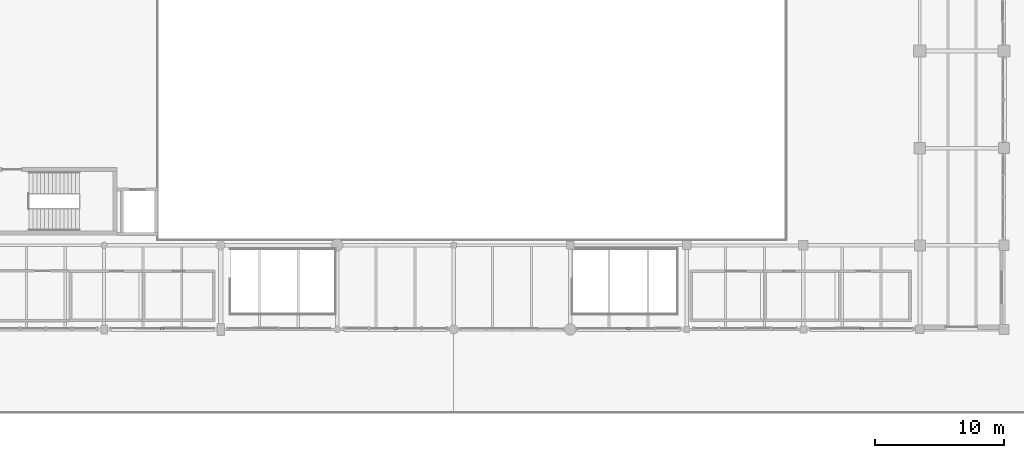
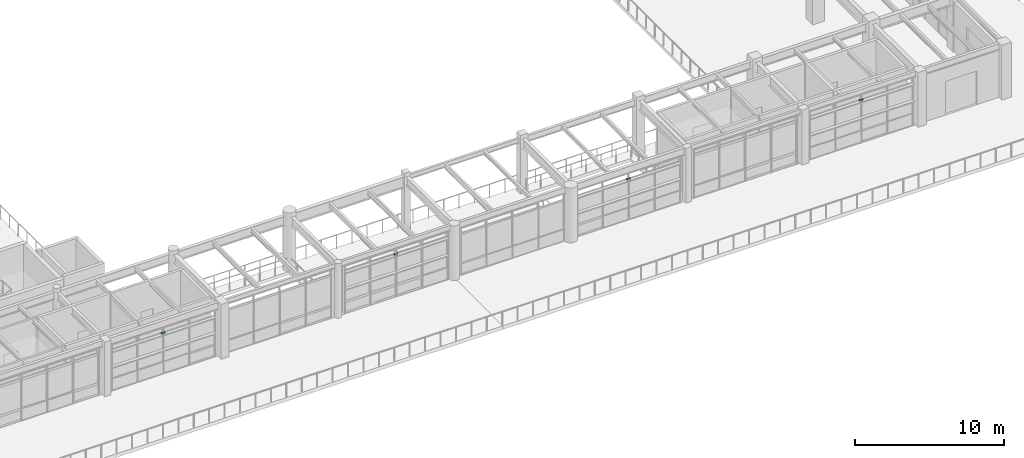
# One storey, part 185 of 200: 4 discrete accessories.
"""IFC4 building model written with IfcOpenShell, lengths in metres."""

import ifcopenshell
import ifcopenshell.guid

model = None  # the IFC model being written
_history = None  # IfcOwnerHistory: only IFC2X3 demands one
_inside = {}  # id of a spatial element -> (the spatial element, [elements in it])
_under = {}  # id of a project, library or spatial element -> (it, [spatial elements below it])
_declared = {}  # id of a project -> (the project, [libraries it declares])
_typed = {}  # id of a type object -> (the type object, [elements of that type])
_made_of = {}  # id of a material, layer set ... -> (it, [elements and type objects made of it])


def new_model(schema):
    """Start an empty IFC model of exactly this schema.

    Asked for "IFC4X3", IfcOpenShell would pick the latest addendum, in which some entities
    have other attributes; the version numbers below select the first issue.
    IFC2X3 requires an IfcOwnerHistory on every rooted entity: one is made here for all.
    """
    global model, _history
    if schema == "IFC4X3":
        model = ifcopenshell.file(schema_version=(4, 3, 0, 0))
    else:
        model = ifcopenshell.file(schema=schema)
    _inside.clear()
    _under.clear()
    _declared.clear()
    _typed.clear()
    _made_of.clear()
    _history = None
    if model.schema == "IFC2X3":
        org = make("IfcOrganization", Name="unknown")
        user = make(
            "IfcPersonAndOrganization",
            ThePerson=make("IfcPerson", FamilyName="unknown"),
            TheOrganization=org,
        )
        app = make(
            "IfcApplication",
            ApplicationDeveloper=org,
            Version="unknown",
            ApplicationFullName="unknown",
            ApplicationIdentifier="unknown",
        )
        _history = make(
            "IfcOwnerHistory",
            OwningUser=user,
            OwningApplication=app,
            ChangeAction="ADDED",
            CreationDate=0,
        )
    return model


def make(cls, **values):
    """One entity of the class cls with the attributes given. An attribute that is None is left unset."""
    return model.create_entity(
        cls, **{name: value for name, value in values.items() if value is not None}
    )


def rooted(cls, **values):
    """An entity with a GlobalId (a new one), such as an element, a storey or a relation."""
    return make(cls, GlobalId=ifcopenshell.guid.new(), OwnerHistory=_history, **values)


def si_unit(unit_type, name, prefix=None):
    """IfcSIUnit, for example si_unit("LENGTHUNIT", "METRE", prefix="MILLI")."""
    return make("IfcSIUnit", UnitType=unit_type, Prefix=prefix, Name=name)


def assignment(units):
    """IfcUnitAssignment: the units of a project."""
    return None if units is None else make("IfcUnitAssignment", Units=units)


def point(xyz):
    """IfcCartesianPoint."""
    return None if xyz is None else make("IfcCartesianPoint", Coordinates=xyz)


def direction(xyz):
    """IfcDirection."""
    return None if xyz is None else make("IfcDirection", DirectionRatios=xyz)


def frame(location, z_axis=None, x_axis=None):
    """IfcAxis2Placement3D, a coordinate frame: its origin and axes. An axis left out is left unset."""
    return make(
        "IfcAxis2Placement3D",
        Location=point(location),
        Axis=direction(z_axis),
        RefDirection=direction(x_axis),
    )


def frame_2d(location, x_axis=None):
    """IfcAxis2Placement2D, a coordinate frame in the plane: its origin and x axis."""
    return make(
        "IfcAxis2Placement2D", Location=point(location), RefDirection=direction(x_axis)
    )


def origin():
    """The frame at (0, 0, 0) with its axes left unset."""
    return frame((0.0, 0.0, 0.0))


def origin_2d():
    """The frame at (0, 0) in the plane with its x axis left unset."""
    return frame_2d((0.0, 0.0))


def place(relative_to, where):
    """IfcLocalPlacement: puts the frame where relative to a parent placement (None: the world)."""
    return make(
        "IfcLocalPlacement", PlacementRelTo=relative_to, RelativePlacement=where
    )


def context(
    kind, dimensions, precision=None, world=None, true_north=None, identifier=None
):
    """IfcGeometricRepresentationContext, for example the 3D "Model" context."""
    return make(
        "IfcGeometricRepresentationContext",
        ContextIdentifier=identifier,
        ContextType=kind,
        CoordinateSpaceDimension=dimensions,
        Precision=precision,
        WorldCoordinateSystem=world,
        TrueNorth=true_north,
    )


def subcontext(parent, identifier, kind, view, scale=None):
    """IfcGeometricRepresentationSubContext, for example "Body" below "Model"."""
    return make(
        "IfcGeometricRepresentationSubContext",
        ContextIdentifier=identifier,
        ContextType=kind,
        ParentContext=parent,
        TargetScale=scale,
        TargetView=view,
    )


def project(units=None, contexts=None):
    """IfcProject with its units and contexts."""
    return rooted(
        "IfcProject",
        Name="project",
        RepresentationContexts=contexts,
        UnitsInContext=assignment(units),
    )


def spatial(cls, under=None, at=None, **own):
    """A site, building, storey or space (cls), placed at a placement, below another one or the project."""
    s = rooted(cls, ObjectPlacement=at, **own)
    if under is not None:
        _under.setdefault(under.id(), (under, []))[1].append(s)
    return s


def profile(cls, at=None, kind="AREA", **sizes):
    """A parametric profile (cls). Its sizes go by their IFC names, for example OverallWidth=200.0."""
    return make(cls, ProfileType=kind, Position=at, **sizes)


def rectangle(**sizes):
    """IfcRectangleProfileDef."""
    return profile("IfcRectangleProfileDef", **sizes)


def extrude(swept, where, along, depth):
    """IfcExtrudedAreaSolid: the profile swept, set in the frame where, extruded along a direction by depth."""
    return make(
        "IfcExtrudedAreaSolid",
        SweptArea=swept,
        Position=where,
        ExtrudedDirection=direction(along),
        Depth=depth,
    )


def shape(context_of_items, identifier, shape_type, items):
    """IfcShapeRepresentation: the items that make up one representation, for example the "Body"."""
    return make(
        "IfcShapeRepresentation",
        ContextOfItems=context_of_items,
        RepresentationIdentifier=identifier,
        RepresentationType=shape_type,
        Items=items,
    )


def material(Name=None, Category=None):
    """IfcMaterial."""
    return make("IfcMaterial", Name=Name, Category=Category)


def made_of(thing, what):
    """Note that an element or type object is made of a material, layer set ...; save() writes the relation."""
    if what is not None:
        _made_of.setdefault(what.id(), (what, []))[1].append(thing)
    return thing


def type_object(cls, material=None, **own):
    """A type object (cls), such as IfcWallType, which elements share."""
    return made_of(rooted(cls, **own), material)


def element(
    cls,
    number,
    at=None,
    inside=None,
    cuts=None,
    type_object=None,
    material=None,
    context=None,
    identifier="Body",
    shape_type=None,
    held_by="IfcProductDefinitionShape",
    body=None,
    shapes=None,
    **own,
):
    """One element of the class cls, such as IfcWall. Its Tag is "e" and its number.

    at: its placement. inside: the storey or other place that contains it. cuts: it is an
    opening in that element (IfcRelVoidsElement). A single representation is given by context,
    identifier, shape_type and body (its items); several are given by shapes. held_by: the class
    of the entity that holds the representations. save() writes the other relations.
    """
    e = rooted(cls, Tag="e%d" % number, ObjectPlacement=at, **own)
    if body is not None:
        shapes = [shape(context, identifier, shape_type, body)]
    if shapes is not None:
        e.Representation = make(held_by, Representations=shapes)
    if inside is not None:
        _inside.setdefault(inside.id(), (inside, []))[1].append(e)
    if cuts is not None:
        rooted(
            "IfcRelVoidsElement", RelatingBuildingElement=cuts, RelatedOpeningElement=e
        )
    if type_object is not None:
        _typed.setdefault(type_object.id(), (type_object, []))[1].append(e)
    return made_of(e, material)


def aggregate(whole, parts):
    """IfcRelAggregates: a whole, such as a stair, and the parts it consists of."""
    return rooted("IfcRelAggregates", RelatingObject=whole, RelatedObjects=parts)


def save(model, path):
    """Write the relations noted so far, then the file.

    IfcRelAggregates (storeys below a building ...), IfcRelContainedInSpatialStructure (elements
    in a storey), IfcRelDefinesByType, IfcRelAssociatesMaterial and IfcRelDeclares: one each for
    every whole, place, type object, material and project.
    """
    for whole, parts in _under.values():
        aggregate(whole, parts)
    for where, things in _inside.values():
        rooted(
            "IfcRelContainedInSpatialStructure",
            RelatedElements=things,
            RelatingStructure=where,
        )
    for kind, things in _typed.values():
        rooted("IfcRelDefinesByType", RelatedObjects=things, RelatingType=kind)
    for what, things in _made_of.values():
        rooted("IfcRelAssociatesMaterial", RelatedObjects=things, RelatingMaterial=what)
    for by, libraries in _declared.values():
        rooted("IfcRelDeclares", RelatingContext=by, RelatedDefinitions=libraries)
    model.write(path)


model = new_model("IFC4")

# Units and contexts
model_context = context("Model", 3, precision=1e-05, world=origin(), true_north=direction((0.0, 1.0)))
body_context = subcontext(model_context, "Body", "Model", "MODEL_VIEW")
ifc_project = project(units=[si_unit("LENGTHUNIT", "METRE"), si_unit("AREAUNIT", "SQUARE_METRE"), si_unit("VOLUMEUNIT", "CUBIC_METRE"), si_unit("PLANEANGLEUNIT", "RADIAN"), si_unit("MASSUNIT", "GRAM", prefix="KILO"), si_unit("THERMODYNAMICTEMPERATUREUNIT", "KELVIN"), si_unit("POWERUNIT", "WATT")], contexts=[model_context])

# Site, building, storey
site_placement = place(None, origin())
site = spatial("IfcSite", under=ifc_project, at=site_placement, CompositionType="ELEMENT")
building_placement = place(site_placement, origin())
building = spatial("IfcBuilding", under=site, at=building_placement, Name="Tepalcoro Natatorium and Aquatics Centre", CompositionType="ELEMENT")
storey_placement = place(building_placement, frame((0.0, 0.0, 5.39990234375)))
storey = spatial("IfcBuildingStorey", under=building, at=storey_placement, Name="L01", CompositionType="ELEMENT", Elevation=5.39990234375)

# Discrete accessories
ifc_material = material(Name="Marine-Grade Brushed Stainless Steel AISI 316L", Category="steel")
discrete_accessory_type = type_object("IfcDiscreteAccessoryType", Name="BRK_SEISMIC_SS", PredefinedType="BRACKET", material=ifc_material)
for number, where, z_axis, x_axis, name in (
    (1, (66.5, 6.56494140625, 3.2080078125), (0.0, 0.0, 1.0), (1.0, 0.0, 0.0), "Solar Shading Outrigger Bracket BRK_SEISMIC_SS"),
    (2, (84.5, 6.56494140625, 3.3603515625), (0.0, 0.0, 1.0), (1.0, 0.0, 0.0), "Solar Shading Outrigger Bracket BRK_SEISMIC_SS"),
    (3, (102.5, 6.56494140625, 3.2080078125), (0.0, 0.0, 1.0), (1.0, 0.0, 0.0), "Solar Shading Outrigger Bracket BRK_SEISMIC_SS"),
    (4, (120.5, 6.56494140625, 3.3603515625), (0.0, 0.0, 1.0), (1.0, 0.0, 0.0), "Solar Shading Outrigger Bracket BRK_SEISMIC_SS"),
):
    element("IfcDiscreteAccessory", number, at=place(storey_placement, frame(where, z_axis=z_axis, x_axis=x_axis)), inside=storey, type_object=discrete_accessory_type, Name=name, PredefinedType="BRACKET", context=body_context, shape_type="SweptSolid", body=[
        extrude(rectangle(XDim=0.280029296875, YDim=0.159912109375, at=origin_2d()), origin(), (0.0, 0.0, 1.0), 0.159912109375),
    ])

save(model, "model.ifc")
